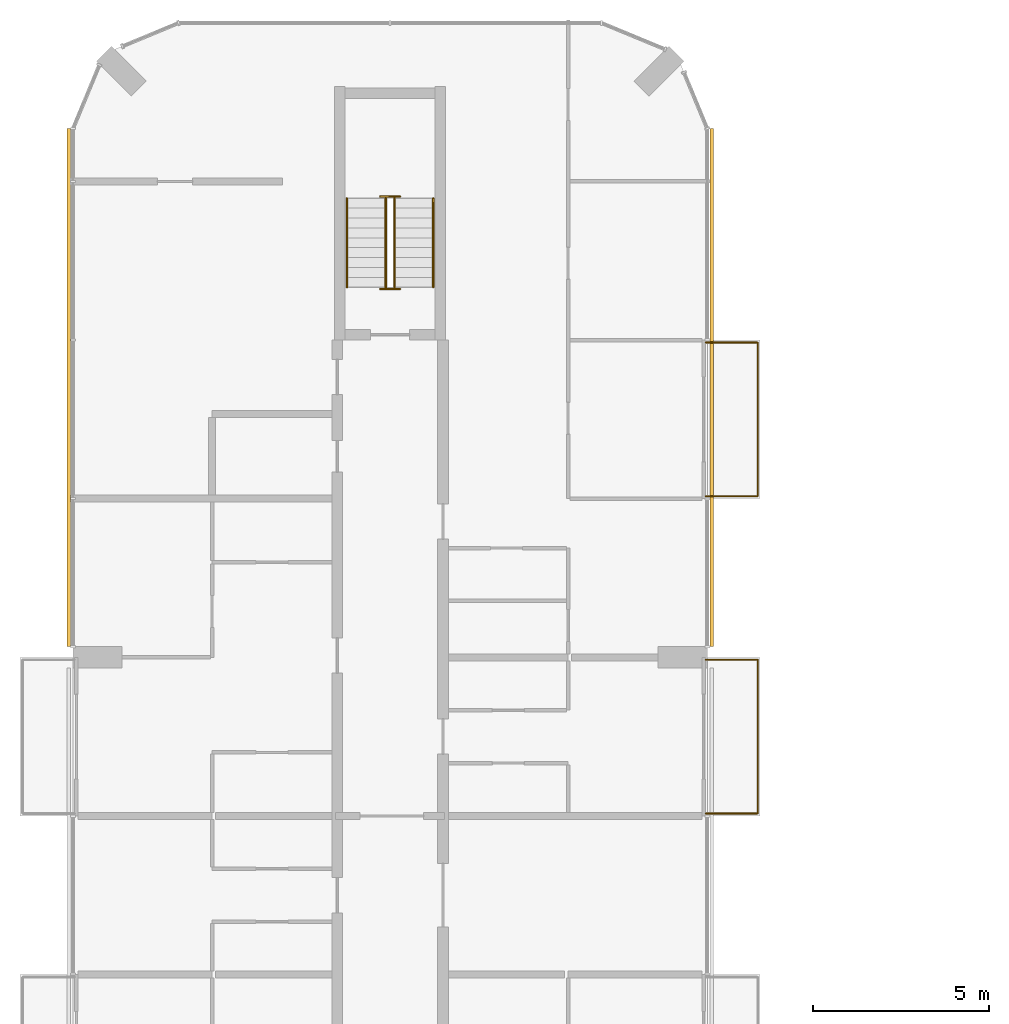
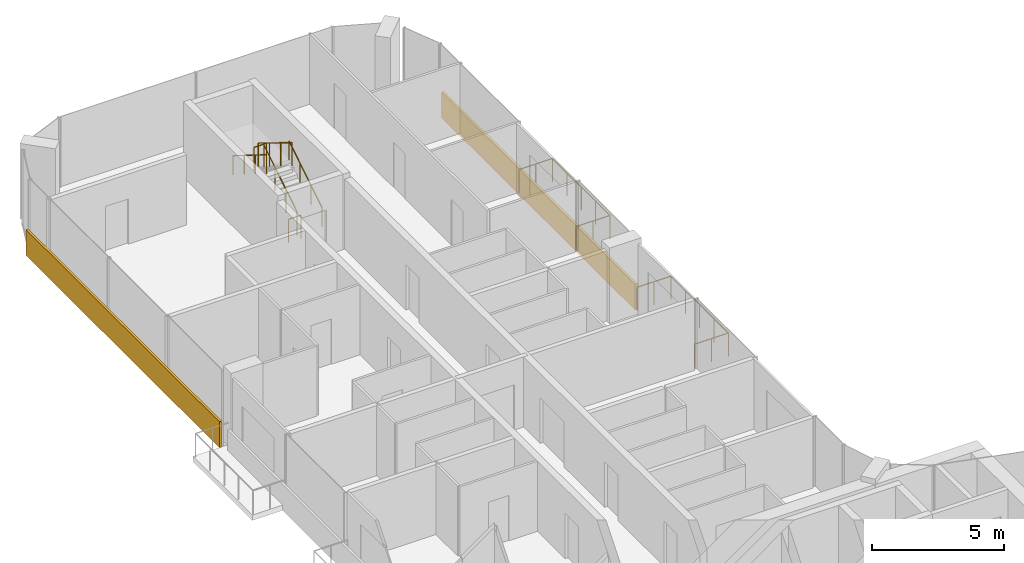
# One storey, part 17 of 17: 8 railings, 2 coverings.
"""IFC4 building model written with IfcOpenShell, lengths in metres."""

from ifc_helpers import new_model, si_unit, direction, frame, origin, origin_2d, place, context, subcontext, project, spatial, rectangle, circle, extrude, material, layer, layer_set, type_object, element, save


model = new_model("IFC4")

# Units and contexts
model_context = context("Model", 3, precision=1e-05, world=origin(), true_north=direction((0.0, 1.0)))
body_context = subcontext(model_context, "Body", "Model", "MODEL_VIEW")
ifc_project = project(units=[si_unit("LENGTHUNIT", "METRE"), si_unit("AREAUNIT", "SQUARE_METRE"), si_unit("VOLUMEUNIT", "CUBIC_METRE"), si_unit("PLANEANGLEUNIT", "RADIAN"), si_unit("MASSUNIT", "GRAM", prefix="KILO")], contexts=[model_context])

# Site, building, storey
site_placement = place(None, origin())
site = spatial("IfcSite", under=ifc_project, at=site_placement, CompositionType="ELEMENT")
building_placement = place(site_placement, origin())
building = spatial("IfcBuilding", under=site, at=building_placement, Name="Plateau Cross Towers", CompositionType="ELEMENT")
storey_placement = place(building_placement, frame((0.0, 0.0, 142.89990234375)))
storey = spatial("IfcBuildingStorey", under=building, at=storey_placement, Name="L36", CompositionType="ELEMENT", Elevation=142.89990234375)

# Railings
ifc_material_1 = material(Name="Stainless steel and toughened glass", Category="steel")
railing_type_1 = type_object("IfcRailingType", Name="Glass balustrade guard 1100", PredefinedType="GUARDRAIL", material=ifc_material_1)
for number, where, name in (
    (1, (17.949951171875, 35.929931640625, 0.0), "Guard guard1"),
    (2, (17.949951171875, 44.929931640625, 0.0), "Guard guard1"),
):
    element("IfcRailing", number, at=place(storey_placement, frame(where)), inside=storey, type_object=railing_type_1, Name=name, PredefinedType="GUARDRAIL", context=body_context, shape_type="SweptSolid", body=[
        extrude(circle(Radius=0.02392578125, at=origin_2d()), frame((0.0, 0.0, 1.076171875), z_axis=(1.0, 0.0, 0.0), x_axis=(0.0, 1.0, 0.0)), (0.0, 0.0, 1.0), 1.47998046875),
        extrude(circle(Radius=0.02392578125, at=origin_2d()), frame((1.47998046875, 0.0, 1.076171875), z_axis=(0.0, -1.0, 0.0), x_axis=(1.0, 0.0, 0.0)), (0.0, 0.0, 1.0), 4.35986328125),
        extrude(circle(Radius=0.02392578125, at=origin_2d()), frame((1.47998046875, -4.35986328125, 1.076171875), z_axis=(-1.0, 0.0, 0.0), x_axis=(0.0, -1.0, 0.0)), (0.0, 0.0, 1.0), 1.47998046875),
        extrude(circle(Radius=0.02099609375, at=origin_2d()), origin(), (0.0, 0.0, 1.0), 1.052001953125),
        extrude(circle(Radius=0.02099609375, at=origin_2d()), frame((0.739990234375, 0.0, 0.0)), (0.0, 0.0, 1.0), 1.052001953125),
        extrude(circle(Radius=0.02099609375, at=origin_2d()), frame((1.47998046875, 0.0, 0.0)), (0.0, 0.0, 1.0), 1.052001953125),
        extrude(circle(Radius=0.02099609375, at=origin_2d()), frame((1.47998046875, -1.08984375, 0.0)), (0.0, 0.0, 1.0), 1.052001953125),
        extrude(circle(Radius=0.02099609375, at=origin_2d()), frame((1.47998046875, -2.179931640625, 0.0)), (0.0, 0.0, 1.0), 1.052001953125),
        extrude(circle(Radius=0.02099609375, at=origin_2d()), frame((1.47998046875, -3.27001953125, 0.0)), (0.0, 0.0, 1.0), 1.052001953125),
        extrude(circle(Radius=0.02099609375, at=origin_2d()), frame((1.47998046875, -4.35986328125, 0.0)), (0.0, 0.0, 1.0), 1.052001953125),
        extrude(circle(Radius=0.02099609375, at=origin_2d()), frame((0.739990234375, -4.35986328125, 0.0)), (0.0, 0.0, 1.0), 1.052001953125),
        extrude(circle(Radius=0.02099609375, at=origin_2d()), frame((0.0, -4.35986328125, 0.0)), (0.0, 0.0, 1.0), 1.052001953125),
    ])
railing_type_2 = type_object("IfcRailingType", Name="RL-GUARD-1100", PredefinedType="GUARDRAIL", material=ifc_material_1)
railing_1_placement = place(storey_placement, frame((9.125, 46.5, 0.175048828125)))
element("IfcRailing", 3, at=railing_1_placement, inside=storey, type_object=railing_type_2, Name="L36 ES-N stair guard 1", PredefinedType="GUARDRAIL", context=body_context, shape_type="SweptSolid", body=[
    extrude(circle(Radius=0.02392578125, at=origin_2d()), frame((0.0, 0.0, 1.076171875), z_axis=(0.0, 0.848007534815, 0.529984170421), x_axis=(-1.0, 0.0, 0.0)), (0.0, 0.0, 1.0), 2.9716796875),
    extrude(circle(Radius=0.02099609375, at=origin_2d()), origin(), (0.0, 0.0, 1.0), 1.052001953125),
    extrude(circle(Radius=0.02099609375, at=origin_2d()), frame((0.0, 0.840087890625, 0.52490234375)), (0.0, 0.0, 1.0), 1.052001953125),
    extrude(circle(Radius=0.02099609375, at=origin_2d()), frame((0.0, 1.679931640625, 1.050048828125)), (0.0, 0.0, 1.0), 1.052001953125),
    extrude(circle(Radius=0.02099609375, at=origin_2d()), frame((0.0, 2.52001953125, 1.574951171875)), (0.0, 0.0, 1.0), 1.052001953125),
])
railing_2_placement = place(storey_placement, frame((9.27490234375, 49.070068359375, 1.75)))
element("IfcRailing", 4, at=railing_2_placement, inside=storey, type_object=railing_type_2, Name="L36 ES-N stair guard 2", PredefinedType="GUARDRAIL", context=body_context, shape_type="SweptSolid", body=[
    extrude(circle(Radius=0.02392578125, at=origin_2d()), frame((0.0, 0.0, 1.076171875), z_axis=(-1.0, 0.0, 0.0), x_axis=(0.0, -1.0, 0.0)), (0.0, 0.0, 1.0), 0.5498046875),
    extrude(circle(Radius=0.02099609375, at=origin_2d()), origin(), (0.0, 0.0, 1.0), 1.052001953125),
    extrude(circle(Radius=0.02099609375, at=origin_2d()), frame((-0.5498046875, 0.0, 0.0)), (0.0, 0.0, 1.0), 1.052001953125),
])
railing_3_placement = place(storey_placement, frame((8.875, 49.02001953125, 1.925048828125)))
element("IfcRailing", 5, at=railing_3_placement, inside=storey, type_object=railing_type_2, Name="L36 ES-N stair guard 3", PredefinedType="GUARDRAIL", context=body_context, shape_type="SweptSolid", body=[
    extrude(circle(Radius=0.02392578125, at=origin_2d()), frame((0.0, 0.0, 1.076171875), z_axis=(0.0, -0.852638500773, 0.522501279423), x_axis=(1.0, 0.0, 0.0)), (0.0, 0.0, 1.0), 3.01416015625),
    extrude(circle(Radius=0.02099609375, at=origin_2d()), origin(), (0.0, 0.0, 1.0), 1.052001953125),
    extrude(circle(Radius=0.02099609375, at=origin_2d()), frame((0.0, -0.856689453125, 0.52490234375)), (0.0, 0.0, 1.0), 1.052001953125),
    extrude(circle(Radius=0.02099609375, at=origin_2d()), frame((0.0, -1.71337890625, 1.050048828125)), (0.0, 0.0, 1.0), 1.052001953125),
    extrude(circle(Radius=0.02099609375, at=origin_2d()), frame((0.0, -2.570068359375, 1.574951171875)), (0.0, 0.0, 1.0), 1.052001953125),
])
railing_4_placement = place(storey_placement, frame((9.27490234375, 46.449951171875, 0.0)))
element("IfcRailing", 6, at=railing_4_placement, inside=storey, type_object=railing_type_2, Name="L36 ES-N stair guard 4", PredefinedType="GUARDRAIL", context=body_context, shape_type="SweptSolid", body=[
    extrude(circle(Radius=0.02392578125, at=origin_2d()), frame((0.0, 0.0, 1.076171875), z_axis=(-1.0, 0.0, 0.0), x_axis=(0.0, -1.0, 0.0)), (0.0, 0.0, 1.0), 0.5498046875),
    extrude(circle(Radius=0.02099609375, at=origin_2d()), origin(), (0.0, 0.0, 1.0), 1.052001953125),
    extrude(circle(Radius=0.02099609375, at=origin_2d()), frame((-0.5498046875, 0.0, 0.0)), (0.0, 0.0, 1.0), 1.052001953125),
])
ifc_material_2 = material(Name="Black anodised aluminium", Category="aluminium")
railing_type_3 = type_object("IfcRailingType", Name="RL-HANDRAIL-900", PredefinedType="HANDRAIL", material=ifc_material_2)
railing_5_placement = place(storey_placement, frame((10.22509765625, 46.5, 0.175048828125)))
element("IfcRailing", 7, at=railing_5_placement, inside=storey, type_object=railing_type_3, Name="L36 ES-N stair handrail 1", PredefinedType="HANDRAIL", context=body_context, shape_type="SweptSolid", body=[
    extrude(circle(Radius=0.02392578125, at=origin_2d()), frame((0.0, 0.0, 0.8759765625), z_axis=(0.0, 0.848007534815, 0.529984170421), x_axis=(-1.0, 0.0, 0.0)), (0.0, 0.0, 1.0), 2.9716796875),
    extrude(circle(Radius=0.02099609375, at=origin_2d()), origin(), (0.0, 0.0, 1.0), 0.851806640625),
    extrude(circle(Radius=0.02099609375, at=origin_2d()), frame((0.0, 0.840087890625, 0.52490234375)), (0.0, 0.0, 1.0), 0.851806640625),
    extrude(circle(Radius=0.02099609375, at=origin_2d()), frame((0.0, 1.679931640625, 1.050048828125)), (0.0, 0.0, 1.0), 0.851806640625),
    extrude(circle(Radius=0.02099609375, at=origin_2d()), frame((0.0, 2.52001953125, 1.574951171875)), (0.0, 0.0, 1.0), 0.851806640625),
])
railing_6_placement = place(storey_placement, frame((7.77490234375, 49.02001953125, 1.925048828125)))
element("IfcRailing", 8, at=railing_6_placement, inside=storey, type_object=railing_type_3, Name="L36 ES-N stair handrail 2", PredefinedType="HANDRAIL", context=body_context, shape_type="SweptSolid", body=[
    extrude(circle(Radius=0.02392578125, at=origin_2d()), frame((0.0, 0.0, 0.8759765625), z_axis=(0.0, -0.848007534815, 0.529984170421), x_axis=(1.0, 0.0, 0.0)), (0.0, 0.0, 1.0), 2.9716796875),
    extrude(circle(Radius=0.02099609375, at=origin_2d()), origin(), (0.0, 0.0, 1.0), 0.851806640625),
    extrude(circle(Radius=0.02099609375, at=origin_2d()), frame((0.0, -0.840087890625, 0.52490234375)), (0.0, 0.0, 1.0), 0.851806640625),
    extrude(circle(Radius=0.02099609375, at=origin_2d()), frame((0.0, -1.679931640625, 1.050048828125)), (0.0, 0.0, 1.0), 0.851806640625),
    extrude(circle(Radius=0.02099609375, at=origin_2d()), frame((0.0, -2.52001953125, 1.574951171875)), (0.0, 0.0, 1.0), 0.851806640625),
])

# Coverings
ifc_material_3 = material(Name="Precast concrete cladding C40/50", Category="concrete")
ifc_layer = layer(ifc_material_3, 0.10009765625)
ifc_layer_set = layer_set([ifc_layer], Name="Precast concrete cladding C40/50")
covering_type = type_object("IfcCoveringType", Name="Spandrel band cladding 100x1200", PredefinedType="CLADDING", material=ifc_layer_set)
for number, where, z_axis, x_axis, name in (
    (9, (18.1201171875, 43.64990234375, -0.25), (0.0, 0.0, 1.0), (0.0, 1.0, 0.0), "Spandrel band"),
    (10, (-0.1201171875, 43.64990234375, -0.25), (0.0, 0.0, 1.0), (0.0, -1.0, 0.0), "Spandrel band"),
):
    element("IfcCovering", number, at=place(storey_placement, frame(where, z_axis=z_axis, x_axis=x_axis)), inside=storey, type_object=covering_type, Name=name, PredefinedType="CLADDING", context=body_context, shape_type="SweptSolid", body=[
        extrude(rectangle(XDim=14.699951171875, YDim=0.10009765625, at=origin_2d()), origin(), (0.0, 0.0, 1.0), 1.199951171875),
    ])

save(model, "model.ifc")
